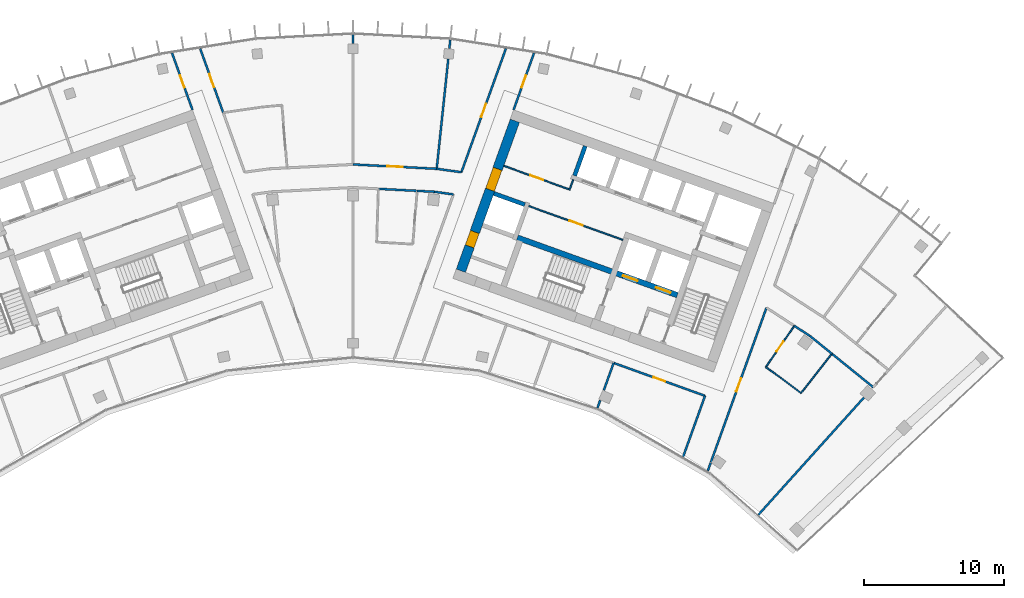
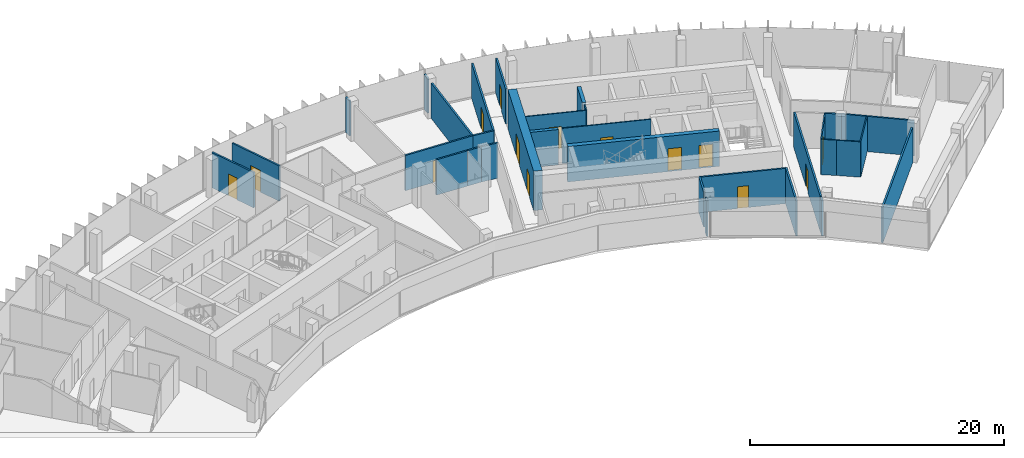
# One storey, part 16 of 19: 33 walls, 14 doors, 14 openings.
"""IFC4 building model written with IfcOpenShell, lengths in metres."""

from ifc_helpers import new_model, si_unit, direction, frame, frame_2d, origin, place, context, subcontext, project, spatial, rectangle, extrude, material, layer, layer_set, type_object, element, fill, save


model = new_model("IFC4")

# Units and contexts
model_context = context("Model", 3, precision=1e-05, world=origin(), true_north=direction((0.0, 1.0)))
body_context = subcontext(model_context, "Body", "Model", "MODEL_VIEW")
ifc_project = project(units=[si_unit("LENGTHUNIT", "METRE"), si_unit("AREAUNIT", "SQUARE_METRE"), si_unit("VOLUMEUNIT", "CUBIC_METRE"), si_unit("PLANEANGLEUNIT", "RADIAN"), si_unit("MASSUNIT", "GRAM", prefix="KILO")], contexts=[model_context])

# Site, building, storey
site_placement = place(None, origin())
site = spatial("IfcSite", under=ifc_project, at=site_placement, CompositionType="ELEMENT")
building_placement = place(site_placement, origin())
building = spatial("IfcBuilding", under=site, at=building_placement, Name="Stone Belt Terrace Tower", CompositionType="ELEMENT")
storey_placement = place(building_placement, frame((0.0, 0.0, 303.60009765625)))
storey = spatial("IfcBuildingStorey", under=building, at=storey_placement, Name="L74", CompositionType="ELEMENT", Elevation=303.60009765625)

# Wall, opening, door
ifc_material_1 = material(Name="Plasterboard partition")
ifc_layer_1 = layer(ifc_material_1, 0.10009765625)
ifc_layer_set_1 = layer_set([ifc_layer_1], Name="Core partition 100")
wall_type_1 = type_object("IfcWallType", Name="Core partition 100", PredefinedType="PARTITIONING", material=ifc_layer_set_1)
wall_1_placement = place(storey_placement, frame((19.29052734375, 51.829833984375, 0.0), z_axis=(0.0, 0.0, 1.0), x_axis=(-0.94092179465, 0.338623945331, 0.0)))
wall_1 = element("IfcWall", 1, at=wall_1_placement, inside=storey, type_object=wall_type_1, Name="Core B wall", PredefinedType="PARTITIONING", context=body_context, shape_type="SweptSolid", body=[
    extrude(rectangle(XDim=7.14990234375, YDim=0.10009765625, at=frame_2d((3.574951171875, 0.0))), origin(), (0.0, 0.0, 1.0), 3.39990234375),
])
opening_1_placement = place(wall_1_placement, frame((3.050048828125, 0.0, 0.0)))
opening_1 = element("IfcOpeningElement", 2, at=opening_1_placement, cuts=wall_1, Name="Opening L74-C13", PredefinedType="OPENING", context=body_context, shape_type="SweptSolid", body=[
    extrude(rectangle(XDim=1.0, YDim=2.10009765625, at=frame_2d((0.5, 1.050048828125))), frame((0.0, 0.06005859375, 0.0), z_axis=(0.0, -1.0, 0.0), x_axis=(1.0, 0.0, 0.0)), (0.0, 0.0, 1.0), 0.1201171875),
])
ifc_material_2 = material(Name="Timber door leaf", Category="wood")
door_type_1 = type_object("IfcDoorType", Name="Core room door 1000", OperationType="SINGLE_SWING_LEFT", PredefinedType="DOOR", material=ifc_material_2)
door_1_placement = place(opening_1_placement, origin())
door_1 = element("IfcDoor", 3, at=door_1_placement, inside=storey, type_object=door_type_1, Name="Door to Electrical room core B", OperationType="SINGLE_SWING_LEFT", OverallHeight=2.10009765625, OverallWidth=1.0, PredefinedType="DOOR", context=body_context, shape_type="SweptSolid", body=[
    extrude(rectangle(XDim=1.0, YDim=2.10009765625, at=frame_2d((0.5, 1.050048828125))), frame((0.0, 0.02490234375, 0.0), z_axis=(0.0, -1.0, 0.0), x_axis=(1.0, 0.0, 0.0)), (0.0, 0.0, 1.0), 0.050048828125),
])
fill(opening_1, door_1)

# Wall
wall_2_placement = place(storey_placement, frame((15.46826171875, 55.384033203125, 0.0), z_axis=(0.0, 0.0, 1.0), x_axis=(0.338481684961, 0.940972979923, 0.0)))
element("IfcWall", 4, at=wall_2_placement, inside=storey, type_object=wall_type_1, Name="Core B wall", PredefinedType="PARTITIONING", context=body_context, shape_type="SweptSolid", body=[
    extrude(rectangle(XDim=0.7998046875, YDim=0.10009765625, at=frame_2d((0.39990234375, 0.0))), origin(), (0.0, 0.0, 1.0), 3.39990234375),
])

# Wall, opening, door
wall_3_placement = place(storey_placement, frame((15.43798828125, 55.447998046875, 0.0), z_axis=(0.0, 0.0, 1.0), x_axis=(-0.940914445113, 0.338644366522, 0.0)))
wall_3 = element("IfcWall", 5, at=wall_3_placement, inside=storey, type_object=wall_type_1, Name="Core B wall", PredefinedType="PARTITIONING", context=body_context, shape_type="SweptSolid", body=[
    extrude(rectangle(XDim=4.949951171875, YDim=0.10009765625, at=frame_2d((2.47509765625, 0.0))), origin(), (0.0, 0.0, 1.0), 3.39990234375),
])
opening_2_placement = place(wall_3_placement, frame((1.949951171875, 0.0, 0.0)))
opening_2 = element("IfcOpeningElement", 6, at=opening_2_placement, cuts=wall_3, Name="Opening L74-C12", PredefinedType="OPENING", context=body_context, shape_type="SweptSolid", body=[
    extrude(rectangle(XDim=1.0, YDim=2.10009765625, at=frame_2d((0.5, 1.050048828125))), frame((0.0, 0.06005859375, 0.0), z_axis=(0.0, -1.0, 0.0), x_axis=(1.0, 0.0, 0.0)), (0.0, 0.0, 1.0), 0.1201171875),
])
door_2_placement = place(opening_2_placement, origin())
door_2 = element("IfcDoor", 7, at=door_2_placement, inside=storey, type_object=door_type_1, Name="Door to Plant room core B", OperationType="SINGLE_SWING_LEFT", OverallHeight=2.10009765625, OverallWidth=1.0, PredefinedType="DOOR", context=body_context, shape_type="SweptSolid", body=[
    extrude(rectangle(XDim=1.0, YDim=2.10009765625, at=frame_2d((0.5, 1.050048828125))), frame((0.0, 0.02490234375, 0.0), z_axis=(0.0, -1.0, 0.0), x_axis=(1.0, 0.0, 0.0)), (0.0, 0.0, 1.0), 0.050048828125),
])
fill(opening_2, door_2)

# Wall, openings, doors
ifc_material_3 = material(Name="Concrete B60", Category="concrete")
ifc_layer_2 = layer(ifc_material_3, 0.699951171875)
ifc_layer_set_2 = layer_set([ifc_layer_2], Name="Core wall 700 B60")
wall_type_2 = type_object("IfcWallType", Name="Core wall 700 B60", PredefinedType="SHEAR", material=ifc_layer_set_2)
wall_4_placement = place(storey_placement, frame((7.70849609375, 49.621337890625, 0.0), z_axis=(0.0, 0.0, 1.0), x_axis=(0.338606471282, 0.940928083121, 0.0)))
wall_4 = element("IfcWall", 8, at=wall_4_placement, inside=storey, type_object=wall_type_2, Name="Core B wall end_a L74", PredefinedType="SHEAR", context=body_context, shape_type="SweptSolid", body=[
    extrude(rectangle(XDim=11.39990234375, YDim=0.699951171875, at=frame_2d((5.699951171875, 0.0))), origin(), (0.0, 0.0, 1.0), 3.7998046875),
])
opening_3_placement = place(wall_4_placement, frame((6.14990234375, 0.0, 0.0)))
opening_3 = element("IfcOpeningElement", 9, at=opening_3_placement, cuts=wall_4, Name="Opening L74-C15", PredefinedType="OPENING", context=body_context, shape_type="SweptSolid", body=[
    extrude(rectangle(XDim=1.60009765625, YDim=2.10009765625, at=frame_2d((0.800048828125, 1.050048828125))), frame((0.0, 0.35986328125, 0.0), z_axis=(0.0, -1.0, 0.0), x_axis=(1.0, 0.0, 0.0)), (0.0, 0.0, 1.0), 0.719970703125),
])
opening_4_placement = place(wall_4_placement, frame((1.85009765625, 0.0, 0.0)))
opening_4 = element("IfcOpeningElement", 10, at=opening_4_placement, cuts=wall_4, Name="Opening L74-C21", PredefinedType="OPENING", context=body_context, shape_type="SweptSolid", body=[
    extrude(rectangle(XDim=1.10009765625, YDim=2.10009765625, at=frame_2d((0.550048828125, 1.050048828125))), frame((0.0, 0.35986328125, 0.0), z_axis=(0.0, -1.0, 0.0), x_axis=(1.0, 0.0, 0.0)), (0.0, 0.0, 1.0), 0.719970703125),
])
door_type_2 = type_object("IfcDoorType", Name="Core room door 1100", OperationType="SINGLE_SWING_LEFT", PredefinedType="DOOR", material=ifc_material_2)
door_3_placement = place(opening_4_placement, origin())
door_3 = element("IfcDoor", 11, at=door_3_placement, inside=storey, type_object=door_type_2, Name="Door to Accessible WC core B", OperationType="SINGLE_SWING_RIGHT", OverallHeight=2.10009765625, OverallWidth=1.10009765625, PredefinedType="DOOR", context=body_context, shape_type="SweptSolid", body=[
    extrude(rectangle(XDim=1.10009765625, YDim=2.10009765625, at=frame_2d((0.550048828125, 1.050048828125))), frame((0.0, 0.330078125, 0.0), z_axis=(0.0, -1.0, 0.0), x_axis=(1.0, 0.0, 0.0)), (0.0, 0.0, 1.0), 0.659912109375),
])
fill(opening_4, door_3)
ifc_material_4 = material(Name="Glazed aluminium door leaf", Category="aluminium")
door_type_3 = type_object("IfcDoorType", Name="Lift lobby entrance door 1600", OperationType="DOUBLE_DOOR_SINGLE_SWING", PredefinedType="DOOR", material=ifc_material_4)
door_4_placement = place(opening_3_placement, origin())
door_4 = element("IfcDoor", 12, at=door_4_placement, inside=storey, type_object=door_type_3, Name="Lift lobby entrance door core B", OperationType="DOUBLE_DOOR_SINGLE_SWING", OverallHeight=2.10009765625, OverallWidth=1.60009765625, PredefinedType="DOOR", context=body_context, shape_type="SweptSolid", body=[
    extrude(rectangle(XDim=1.60009765625, YDim=2.10009765625, at=frame_2d((0.800048828125, 1.050048828125))), frame((0.0, 0.330078125, 0.0), z_axis=(0.0, -1.0, 0.0), x_axis=(1.0, 0.0, 0.0)), (0.0, 0.0, 1.0), 0.659912109375),
])
fill(opening_3, door_4)

# Walls
ifc_material_5 = material(Name="Concrete B80", Category="concrete")
ifc_layer_3 = layer(ifc_material_5, 0.300048828125)
ifc_layer_set_3 = layer_set([ifc_layer_3], Name="Lift shaft wall 300")
wall_type_3 = type_object("IfcWallType", Name="Lift shaft wall 300", PredefinedType="SHEAR", material=ifc_layer_set_3)
wall_5_placement = place(storey_placement, frame((15.8408203125, 56.419189453125, 0.0), z_axis=(0.0, 0.0, 1.0), x_axis=(0.338569601369, 0.940941350472, 0.0)))
element("IfcWall", 13, at=wall_5_placement, inside=storey, type_object=wall_type_3, Name="Core B wall", PredefinedType="SHEAR", context=body_context, shape_type="SweptSolid", body=[
    extrude(rectangle(XDim=2.249755859375, YDim=0.300048828125, at=frame_2d((1.125, 0.0))), origin(), (0.0, 0.0, 1.0), 3.39990234375),
])
wall_6_placement = place(storey_placement, frame((12.280517578125, 54.3525390625, 0.0), z_axis=(0.0, 0.0, 1.0), x_axis=(-0.940925816745, 0.338612769078, 0.0)))
element("IfcWall", 14, at=wall_6_placement, inside=storey, type_object=wall_type_3, Name="Core B wall", PredefinedType="SHEAR", context=body_context, shape_type="SweptSolid", body=[
    extrude(rectangle(XDim=2.349853515625, YDim=0.300048828125, at=frame_2d((1.1748046875, 0.0))), origin(), (0.0, 0.0, 1.0), 3.39990234375),
])

# Wall, opening, door
ifc_material_6 = material(Name="Gypsum board partition")
ifc_layer_4 = layer(ifc_material_6, 0.10009765625)
ifc_layer_set_4 = layer_set([ifc_layer_4], Name="PARTITION 100")
wall_type_4 = type_object("IfcWallType", Name="PARTITION 100", PredefinedType="PARTITIONING", material=ifc_layer_set_4)
wall_7_placement = place(storey_placement, frame((31.5439453125, 45.68896484375, 0.0), z_axis=(0.0, 0.0, 1.0), x_axis=(-0.568120559213, -0.822945338525, 0.0)))
wall_7 = element("IfcWall", 15, at=wall_7_placement, inside=storey, type_object=wall_type_4, Name="L74/wall/i077", PredefinedType="PARTITIONING", context=body_context, shape_type="SweptSolid", body=[
    extrude(rectangle(XDim=3.5908203125, YDim=0.10009765625, at=frame_2d((1.79541015625, 0.0))), origin(), (0.0, 0.0, 1.0), 3.39990234375),
])
opening_5_placement = place(wall_7_placement, frame((1.345458984375, 0.0, 0.0)))
opening_5 = element("IfcOpeningElement", 16, at=opening_5_placement, cuts=wall_7, Name="Opening D-E5-23", PredefinedType="OPENING", context=body_context, shape_type="SweptSolid", body=[
    extrude(rectangle(XDim=0.89990234375, YDim=2.10009765625, at=frame_2d((0.449951171875, 1.050048828125))), frame((0.0, 0.06005859375, 0.0), z_axis=(0.0, -1.0, 0.0), x_axis=(1.0, 0.0, 0.0)), (0.0, 0.0, 1.0), 0.1201171875),
])
door_type_4 = type_object("IfcDoorType", Name="OFFICE DOOR 900 X 2100", OperationType="NOTDEFINED", PredefinedType="DOOR", material=ifc_material_2)
door_5_placement = place(opening_5_placement, origin())
door_5 = element("IfcDoor", 17, at=door_5_placement, inside=storey, type_object=door_type_4, Name="L74/door/i23", OperationType="SINGLE_SWING_RIGHT", OverallHeight=2.10009765625, OverallWidth=0.89990234375, PredefinedType="DOOR", context=body_context, shape_type="SweptSolid", body=[
    extrude(rectangle(XDim=0.89990234375, YDim=2.10009765625, at=frame_2d((0.449951171875, 1.050048828125))), frame((0.0, 0.02490234375, 0.0), z_axis=(0.0, -1.0, 0.0), x_axis=(1.0, 0.0, 0.0)), (0.0, 0.0, 1.0), 0.050048828125),
])
fill(opening_5, door_5)

# Walls
wall_8_placement = place(storey_placement, frame((29.50390625, 42.73388671875, 0.0), z_axis=(0.0, 0.0, 1.0), x_axis=(0.815986058791, -0.578071580221, 0.0)))
element("IfcWall", 18, at=wall_8_placement, inside=storey, type_object=wall_type_4, Name="L74/wall/i078", PredefinedType="PARTITIONING", context=body_context, shape_type="SweptSolid", body=[
    extrude(rectangle(XDim=1.248779296875, YDim=0.10009765625, at=frame_2d((0.62451171875, 0.0))), origin(), (0.0, 0.0, 1.0), 3.39990234375),
])
wall_9_placement = place(storey_placement, frame((30.52294921875, 42.011962890625, 0.0), z_axis=(0.0, 0.0, 1.0), x_axis=(0.798373260242, -0.602162882725, 0.0)))
element("IfcWall", 19, at=wall_9_placement, inside=storey, type_object=wall_type_4, Name="L74/wall/i079", PredefinedType="PARTITIONING", context=body_context, shape_type="SweptSolid", body=[
    extrude(rectangle(XDim=1.87646484375, YDim=0.10009765625, at=frame_2d((0.938232421875, 0.0))), origin(), (0.0, 0.0, 1.0), 3.39990234375),
])
wall_10_placement = place(storey_placement, frame((32.02099609375, 40.882080078125, 0.0), z_axis=(0.0, 0.0, 1.0), x_axis=(0.616536467142, 0.787326352083, 0.0)))
element("IfcWall", 20, at=wall_10_placement, inside=storey, type_object=wall_type_4, Name="L74/wall/i080", PredefinedType="PARTITIONING", context=body_context, shape_type="SweptSolid", body=[
    extrude(rectangle(XDim=3.57666015625, YDim=0.10009765625, at=frame_2d((1.788330078125, 0.0))), origin(), (0.0, 0.0, 1.0), 3.39990234375),
])

# Wall, opening, door
ifc_layer_5 = layer(ifc_material_6, 0.14990234375)
ifc_layer_set_5 = layer_set([ifc_layer_5], Name="PARTITION 150 EI 60")
wall_type_5 = type_object("IfcWallType", Name="PARTITION 150 EI 60", PredefinedType="PARTITIONING", material=ifc_layer_set_5)
wall_11_placement = place(storey_placement, frame((-11.47607421875, 61.125, 0.0), z_axis=(0.0, 0.0, 1.0), x_axis=(-0.338707450319, 0.940891738245, 0.0)))
wall_11 = element("IfcWall", 21, at=wall_11_placement, inside=storey, type_object=wall_type_5, Name="L74/wall/i010", PredefinedType="PARTITIONING", context=body_context, shape_type="SweptSolid", body=[
    extrude(rectangle(XDim=4.316162109375, YDim=0.14990234375, at=frame_2d((2.158203125, 0.0))), origin(), (0.0, 0.0, 1.0), 3.39990234375),
])
opening_6_placement = place(wall_11_placement, frame((1.7080078125, 0.0, 0.0)))
opening_6 = element("IfcOpeningElement", 22, at=opening_6_placement, cuts=wall_11, Name="Opening D-E5-06", PredefinedType="OPENING", context=body_context, shape_type="SweptSolid", body=[
    extrude(rectangle(XDim=0.89990234375, YDim=2.10009765625, at=frame_2d((0.449951171875, 1.050048828125))), frame((0.0, 0.0849609375, 0.0), z_axis=(0.0, -1.0, 0.0), x_axis=(1.0, 0.0, 0.0)), (0.0, 0.0, 1.0), 0.169921875),
])
door_6_placement = place(opening_6_placement, origin())
door_6 = element("IfcDoor", 23, at=door_6_placement, inside=storey, type_object=door_type_4, Name="L74/door/i06", OperationType="SINGLE_SWING_RIGHT", OverallHeight=2.10009765625, OverallWidth=0.89990234375, PredefinedType="DOOR", context=body_context, shape_type="SweptSolid", body=[
    extrude(rectangle(XDim=0.89990234375, YDim=2.10009765625, at=frame_2d((0.449951171875, 1.050048828125))), frame((0.0, 0.02490234375, 0.0), z_axis=(0.0, -1.0, 0.0), x_axis=(1.0, 0.0, 0.0)), (0.0, 0.0, 1.0), 0.050048828125),
])
fill(opening_6, door_6)

wall_12_placement = place(storey_placement, frame((-10.9267578125, 65.504150390625, 0.0), z_axis=(0.0, 0.0, 1.0), x_axis=(0.338598802043, -0.940930842972, 0.0)))
wall_12 = element("IfcWall", 24, at=wall_12_placement, inside=storey, type_object=wall_type_5, Name="L74/wall/i013", PredefinedType="PARTITIONING", context=body_context, shape_type="SweptSolid", body=[
    extrude(rectangle(XDim=4.8720703125, YDim=0.14990234375, at=frame_2d((2.43603515625, 0.0))), origin(), (0.0, 0.0, 1.0), 3.39990234375),
])
opening_7_placement = place(wall_12_placement, frame((1.93603515625, 0.0, 0.0)))
opening_7 = element("IfcOpeningElement", 25, at=opening_7_placement, cuts=wall_12, Name="Opening D-E5-31", PredefinedType="OPENING", context=body_context, shape_type="SweptSolid", body=[
    extrude(rectangle(XDim=1.0, YDim=2.10009765625, at=frame_2d((0.5, 1.050048828125))), frame((0.0, 0.0849609375, 0.0), z_axis=(0.0, -1.0, 0.0), x_axis=(1.0, 0.0, 0.0)), (0.0, 0.0, 1.0), 0.169921875),
])
ifc_material_7 = material(Name="Timber fire door leaf", Category="wood")
door_type_5 = type_object("IfcDoorType", Name="TENANCY ENTRANCE DOOR 1000 X 2100", OperationType="NOTDEFINED", PredefinedType="DOOR", material=ifc_material_7)
door_7_placement = place(opening_7_placement, origin())
door_7 = element("IfcDoor", 26, at=door_7_placement, inside=storey, type_object=door_type_5, Name="L74/door/i31", OperationType="SINGLE_SWING_RIGHT", OverallHeight=2.10009765625, OverallWidth=1.0, PredefinedType="DOOR", context=body_context, shape_type="SweptSolid", body=[
    extrude(rectangle(XDim=1.0, YDim=2.10009765625, at=frame_2d((0.5, 1.050048828125))), frame((0.0, 0.02490234375, 0.0), z_axis=(0.0, -1.0, 0.0), x_axis=(1.0, 0.0, 0.0)), (0.0, 0.0, 1.0), 0.050048828125),
])
fill(opening_7, door_7)

wall_13_placement = place(storey_placement, frame((12.93798828125, 65.18603515625, 0.0), z_axis=(0.0, 0.0, 1.0), x_axis=(-0.338707450319, -0.940891738245, 0.0)))
wall_13 = element("IfcWall", 27, at=wall_13_placement, inside=storey, type_object=wall_type_5, Name="L74/wall/i024", PredefinedType="PARTITIONING", context=body_context, shape_type="SweptSolid", body=[
    extrude(rectangle(XDim=4.316162109375, YDim=0.14990234375, at=frame_2d((2.158203125, 0.0))), origin(), (0.0, 0.0, 1.0), 3.39990234375),
])
opening_8_placement = place(wall_13_placement, frame((1.7080078125, 0.0, 0.0)))
opening_8 = element("IfcOpeningElement", 28, at=opening_8_placement, cuts=wall_13, Name="Opening D-E5-11", PredefinedType="OPENING", context=body_context, shape_type="SweptSolid", body=[
    extrude(rectangle(XDim=0.89990234375, YDim=2.10009765625, at=frame_2d((0.449951171875, 1.050048828125))), frame((0.0, 0.0849609375, 0.0), z_axis=(0.0, -1.0, 0.0), x_axis=(1.0, 0.0, 0.0)), (0.0, 0.0, 1.0), 0.169921875),
])
door_8_placement = place(opening_8_placement, origin())
door_8 = element("IfcDoor", 29, at=door_8_placement, inside=storey, type_object=door_type_4, Name="L74/door/i11", OperationType="SINGLE_SWING_RIGHT", OverallHeight=2.10009765625, OverallWidth=0.89990234375, PredefinedType="DOOR", context=body_context, shape_type="SweptSolid", body=[
    extrude(rectangle(XDim=0.89990234375, YDim=2.10009765625, at=frame_2d((0.449951171875, 1.050048828125))), frame((0.0, 0.02490234375, 0.0), z_axis=(0.0, -1.0, 0.0), x_axis=(1.0, 0.0, 0.0)), (0.0, 0.0, 1.0), 0.050048828125),
])
fill(opening_8, door_8)

wall_14_placement = place(storey_placement, frame((7.7451171875, 56.6640625, 0.0), z_axis=(0.0, 0.0, 1.0), x_axis=(0.338644933311, 0.94091424112, 0.0)))
wall_14 = element("IfcWall", 30, at=wall_14_placement, inside=storey, type_object=wall_type_5, Name="L74/wall/i026", PredefinedType="PARTITIONING", context=body_context, shape_type="SweptSolid", body=[
    extrude(rectangle(XDim=9.395263671875, YDim=0.14990234375, at=frame_2d((4.69775390625, 0.0))), origin(), (0.0, 0.0, 1.0), 3.39990234375),
])
opening_9_placement = place(wall_14_placement, frame((4.19775390625, 0.0, 0.0)))
opening_9 = element("IfcOpeningElement", 31, at=opening_9_placement, cuts=wall_14, Name="Opening D-E5-34", PredefinedType="OPENING", context=body_context, shape_type="SweptSolid", body=[
    extrude(rectangle(XDim=1.0, YDim=2.10009765625, at=frame_2d((0.5, 1.050048828125))), frame((0.0, 0.0849609375, 0.0), z_axis=(0.0, -1.0, 0.0), x_axis=(1.0, 0.0, 0.0)), (0.0, 0.0, 1.0), 0.169921875),
])
door_9_placement = place(opening_9_placement, origin())
door_9 = element("IfcDoor", 32, at=door_9_placement, inside=storey, type_object=door_type_5, Name="L74/door/i34", OperationType="SINGLE_SWING_RIGHT", OverallHeight=2.10009765625, OverallWidth=1.0, PredefinedType="DOOR", context=body_context, shape_type="SweptSolid", body=[
    extrude(rectangle(XDim=1.0, YDim=2.10009765625, at=frame_2d((0.5, 1.050048828125))), frame((0.0, 0.02490234375, 0.0), z_axis=(0.0, -1.0, 0.0), x_axis=(1.0, 0.0, 0.0)), (0.0, 0.0, 1.0), 0.050048828125),
])
fill(opening_9, door_9)

# Wall
wall_15_placement = place(storey_placement, frame((23.5966796875, 36.330810546875, 0.0), z_axis=(0.0, 0.0, 1.0), x_axis=(0.338609342271, 0.94092704995, 0.0)))
element("IfcWall", 33, at=wall_15_placement, inside=storey, type_object=wall_type_5, Name="L74/wall/i027", PredefinedType="PARTITIONING", context=body_context, shape_type="SweptSolid", body=[
    extrude(rectangle(XDim=4.6318359375, YDim=0.14990234375, at=frame_2d((2.31591796875, 0.0))), origin(), (0.0, 0.0, 1.0), 3.39990234375),
])

# Wall, opening, door
wall_16_placement = place(storey_placement, frame((29.556884765625, 46.987060546875, 0.0), z_axis=(0.0, 0.0, 1.0), x_axis=(-0.338660555828, -0.940908618265, 0.0)))
wall_16 = element("IfcWall", 34, at=wall_16_placement, inside=storey, type_object=wall_type_5, Name="L74/wall/i029", PredefinedType="PARTITIONING", context=body_context, shape_type="SweptSolid", body=[
    extrude(rectangle(XDim=11.73974609375, YDim=0.14990234375, at=frame_2d((5.869873046875, 0.0))), origin(), (0.0, 0.0, 1.0), 3.39990234375),
])
opening_10_placement = place(wall_16_placement, frame((5.369873046875, 0.0, 0.0)))
opening_10 = element("IfcOpeningElement", 35, at=opening_10_placement, cuts=wall_16, Name="Opening D-E5-22", PredefinedType="OPENING", context=body_context, shape_type="SweptSolid", body=[
    extrude(rectangle(XDim=1.0, YDim=2.10009765625, at=frame_2d((0.5, 1.050048828125))), frame((0.0, 0.0849609375, 0.0), z_axis=(0.0, -1.0, 0.0), x_axis=(1.0, 0.0, 0.0)), (0.0, 0.0, 1.0), 0.169921875),
])
door_10_placement = place(opening_10_placement, origin())
door_10 = element("IfcDoor", 36, at=door_10_placement, inside=storey, type_object=door_type_5, Name="L74/door/i22", OperationType="SINGLE_SWING_LEFT", OverallHeight=2.10009765625, OverallWidth=1.0, PredefinedType="DOOR", context=body_context, shape_type="SweptSolid", body=[
    extrude(rectangle(XDim=1.0, YDim=2.10009765625, at=frame_2d((0.5, 1.050048828125))), frame((0.0, 0.02490234375, 0.0), z_axis=(0.0, -1.0, 0.0), x_axis=(1.0, 0.0, 0.0)), (0.0, 0.0, 1.0), 0.050048828125),
])
fill(opening_10, door_10)

# Wall
wall_17_placement = place(storey_placement, frame((25.566162109375, 35.899658203125, 0.0), z_axis=(0.0, 0.0, 1.0), x_axis=(-0.338633814852, -0.940918242696, 0.0)))
element("IfcWall", 37, at=wall_17_placement, inside=storey, type_object=wall_type_5, Name="L74/wall/i030", PredefinedType="PARTITIONING", context=body_context, shape_type="SweptSolid", body=[
    extrude(rectangle(XDim=0.605712890625, YDim=0.14990234375, at=frame_2d((0.302734375, 0.0))), origin(), (0.0, 0.0, 1.0), 3.39990234375),
])

# Wall, opening, door
wall_18_placement = place(storey_placement, frame((25.1630859375, 40.68310546875, 0.0), z_axis=(0.0, 0.0, 1.0), x_axis=(-0.940890098745, 0.338712004633, 0.0)))
wall_18 = element("IfcWall", 38, at=wall_18_placement, inside=storey, type_object=wall_type_5, Name="L74/wall/i036", PredefinedType="PARTITIONING", context=body_context, shape_type="SweptSolid", body=[
    extrude(rectangle(XDim=6.949951171875, YDim=0.14990234375, at=frame_2d((3.47509765625, 0.0))), origin(), (0.0, 0.0, 1.0), 3.39990234375),
])
opening_11_placement = place(wall_18_placement, frame((3.02490234375, 0.0, 0.0)))
opening_11 = element("IfcOpeningElement", 39, at=opening_11_placement, cuts=wall_18, Name="Opening D-E5-10", PredefinedType="OPENING", context=body_context, shape_type="SweptSolid", body=[
    extrude(rectangle(XDim=0.89990234375, YDim=2.10009765625, at=frame_2d((0.449951171875, 1.050048828125))), frame((0.0, 0.0849609375, 0.0), z_axis=(0.0, -1.0, 0.0), x_axis=(1.0, 0.0, 0.0)), (0.0, 0.0, 1.0), 0.169921875),
])
door_11_placement = place(opening_11_placement, origin())
door_11 = element("IfcDoor", 40, at=door_11_placement, inside=storey, type_object=door_type_4, Name="L74/door/i10", OperationType="SINGLE_SWING_RIGHT", OverallHeight=2.10009765625, OverallWidth=0.89990234375, PredefinedType="DOOR", context=body_context, shape_type="SweptSolid", body=[
    extrude(rectangle(XDim=0.89990234375, YDim=2.10009765625, at=frame_2d((0.449951171875, 1.050048828125))), frame((0.0, 0.02490234375, 0.0), z_axis=(0.0, -1.0, 0.0), x_axis=(1.0, 0.0, 0.0)), (0.0, 0.0, 1.0), 0.050048828125),
])
fill(opening_11, door_11)

# Walls
wall_19_placement = place(storey_placement, frame((18.62890625, 43.033935546875, 0.0), z_axis=(0.0, 0.0, 1.0), x_axis=(-0.338523288792, -0.940958013381, 0.0)))
element("IfcWall", 41, at=wall_19_placement, inside=storey, type_object=wall_type_5, Name="L74/wall/i039", PredefinedType="PARTITIONING", context=body_context, shape_type="SweptSolid", body=[
    extrude(rectangle(XDim=2.0712890625, YDim=0.14990234375, at=frame_2d((1.03564453125, 0.0))), origin(), (0.0, 0.0, 1.0), 3.39990234375),
])
wall_20_placement = place(storey_placement, frame((17.669921875, 40.367919921875, 0.0), z_axis=(0.0, 0.0, 1.0), x_axis=(-0.338689559732, -0.940898178407, 0.0)))
element("IfcWall", 42, at=wall_20_placement, inside=storey, type_object=wall_type_5, Name="L74/wall/i040", PredefinedType="PARTITIONING", context=body_context, shape_type="SweptSolid", body=[
    extrude(rectangle(XDim=0.578125, YDim=0.14990234375, at=frame_2d((0.2890625, 0.0))), origin(), (0.0, 0.0, 1.0), 3.39990234375),
])
wall_21_placement = place(storey_placement, frame((28.97802734375, 32.182373046875, 0.0), z_axis=(0.0, 0.0, 1.0), x_axis=(0.669127577115, 0.74314755301, 0.0)))
element("IfcWall", 43, at=wall_21_placement, inside=storey, type_object=wall_type_5, Name="L74/wall/i068", PredefinedType="PARTITIONING", context=body_context, shape_type="SweptSolid", body=[
    extrude(rectangle(XDim=11.263671875, YDim=0.14990234375, at=frame_2d((5.6318359375, 0.0))), origin(), (0.0, 0.0, 1.0), 3.39990234375),
])
wall_22_placement = place(storey_placement, frame((37.18701171875, 41.300048828125, 0.0), z_axis=(0.0, 0.0, 1.0), x_axis=(-0.77714803313, 0.629317832738, 0.0)))
element("IfcWall", 44, at=wall_22_placement, inside=storey, type_object=wall_type_5, Name="L74/wall/i071", PredefinedType="PARTITIONING", context=body_context, shape_type="SweptSolid", body=[
    extrude(rectangle(XDim=3.816650390625, YDim=0.14990234375, at=frame_2d((1.908203125, 0.0))), origin(), (0.0, 0.0, 1.0), 3.39990234375),
])
wall_23_placement = place(storey_placement, frame((34.23095703125, 43.694091796875, 0.0), z_axis=(0.0, 0.0, 1.0), x_axis=(-0.777247694458, 0.62919474049, 0.0)))
element("IfcWall", 45, at=wall_23_placement, inside=storey, type_object=wall_type_5, Name="L74/wall/i072", PredefinedType="PARTITIONING", context=body_context, shape_type="SweptSolid", body=[
    extrude(rectangle(XDim=2.013427734375, YDim=0.14990234375, at=frame_2d((1.0068359375, 0.0))), origin(), (0.0, 0.0, 1.0), 3.39990234375),
])
wall_24_placement = place(storey_placement, frame((32.666015625, 44.9609375, 0.0), z_axis=(0.0, 0.0, 1.0), x_axis=(-0.838974743081, 0.544170359789, 0.0)))
element("IfcWall", 46, at=wall_24_placement, inside=storey, type_object=wall_type_5, Name="L74/wall/i073", PredefinedType="PARTITIONING", context=body_context, shape_type="SweptSolid", body=[
    extrude(rectangle(XDim=1.34326171875, YDim=0.14990234375, at=frame_2d((0.671630859375, 0.0))), origin(), (0.0, 0.0, 1.0), 3.39990234375),
])
wall_25_placement = place(storey_placement, frame((7.176025390625, 55.0830078125, 0.0), z_axis=(0.0, 0.0, 1.0), x_axis=(-0.990675556397, 0.136242217972, 0.0)))
element("IfcWall", 47, at=wall_25_placement, inside=storey, type_object=wall_type_5, Name="L74/wall/i088", PredefinedType="PARTITIONING", context=body_context, shape_type="SweptSolid", body=[
    extrude(rectangle(XDim=1.3798828125, YDim=0.14990234375, at=frame_2d((0.68994140625, 0.0))), origin(), (0.0, 0.0, 1.0), 3.39990234375),
])
wall_26_placement = place(storey_placement, frame((5.80908203125, 55.27099609375, 0.0), z_axis=(0.0, 0.0, 1.0), x_axis=(-0.998648347827, 0.051975738405, 0.0)))
element("IfcWall", 48, at=wall_26_placement, inside=storey, type_object=wall_type_5, Name="L74/wall/i089", PredefinedType="PARTITIONING", context=body_context, shape_type="SweptSolid", body=[
    extrude(rectangle(XDim=1.230712890625, YDim=0.14990234375, at=frame_2d((0.615234375, 0.0))), origin(), (0.0, 0.0, 1.0), 3.39990234375),
])
wall_27_placement = place(storey_placement, frame((4.592041015625, 55.3349609375, 0.0), z_axis=(0.0, 0.0, 1.0), x_axis=(-0.998630847524, 0.052310901088, 0.0)))
element("IfcWall", 49, at=wall_27_placement, inside=storey, type_object=wall_type_5, Name="L74/wall/i090", PredefinedType="PARTITIONING", context=body_context, shape_type="SweptSolid", body=[
    extrude(rectangle(XDim=2.791015625, YDim=0.14990234375, at=frame_2d((1.3955078125, 0.0))), origin(), (0.0, 0.0, 1.0), 3.39990234375),
])

# Wall, opening, door
wall_28_placement = place(storey_placement, frame((0.0, 57.22509765625, 0.0), z_axis=(0.0, 0.0, 1.0), x_axis=(0.998633994648, -0.052250786921, 0.0)))
wall_28 = element("IfcWall", 50, at=wall_28_placement, inside=storey, type_object=wall_type_5, Name="L74/wall/i094", PredefinedType="PARTITIONING", context=body_context, shape_type="SweptSolid", body=[
    extrude(rectangle(XDim=5.990234375, YDim=0.14990234375, at=frame_2d((2.9951171875, 0.0))), origin(), (0.0, 0.0, 1.0), 3.39990234375),
])
opening_12_placement = place(wall_28_placement, frame((2.445068359375, 0.0, 0.0)))
opening_12 = element("IfcOpeningElement", 51, at=opening_12_placement, cuts=wall_28, Name="Opening D-E5-33", PredefinedType="OPENING", context=body_context, shape_type="SweptSolid", body=[
    extrude(rectangle(XDim=1.10009765625, YDim=2.10009765625, at=frame_2d((0.550048828125, 1.050048828125))), frame((0.0, 0.0849609375, 0.0), z_axis=(0.0, -1.0, 0.0), x_axis=(1.0, 0.0, 0.0)), (0.0, 0.0, 1.0), 0.169921875),
])
ifc_material_8 = material(Name="Steel fire door set", Category="steel")
door_type_6 = type_object("IfcDoorType", Name="SERVICE ROOM DOOR 1100 X 2100", OperationType="NOTDEFINED", PredefinedType="DOOR", material=ifc_material_8)
door_12_placement = place(opening_12_placement, origin())
door_12 = element("IfcDoor", 52, at=door_12_placement, inside=storey, type_object=door_type_6, Name="L74/door/i33", OperationType="SINGLE_SWING_LEFT", OverallHeight=2.10009765625, OverallWidth=1.10009765625, PredefinedType="DOOR", context=body_context, shape_type="SweptSolid", body=[
    extrude(rectangle(XDim=1.10009765625, YDim=2.10009765625, at=frame_2d((0.550048828125, 1.050048828125))), frame((0.0, 0.02490234375, 0.0), z_axis=(0.0, -1.0, 0.0), x_axis=(1.0, 0.0, 0.0)), (0.0, 0.0, 1.0), 0.050048828125),
])
fill(opening_12, door_12)

# Walls
wall_29_placement = place(storey_placement, frame((5.98193359375, 56.912109375, 0.0), z_axis=(0.0, 0.0, 1.0), x_axis=(0.990718093798, -0.135932551735, 0.0)))
element("IfcWall", 53, at=wall_29_placement, inside=storey, type_object=wall_type_5, Name="L74/wall/i095", PredefinedType="PARTITIONING", context=body_context, shape_type="SweptSolid", body=[
    extrude(rectangle(XDim=1.78173828125, YDim=0.14990234375, at=frame_2d((0.890869140625, 0.0))), origin(), (0.0, 0.0, 1.0), 3.39990234375),
])
wall_30_placement = place(storey_placement, frame((0.0, 66.5, 0.0), z_axis=(0.0, 0.0, 1.0), x_axis=(0.0, -1.0, 0.0)))
element("IfcWall", 54, at=wall_30_placement, inside=storey, type_object=wall_type_5, Name="L74/wall/i105", PredefinedType="PARTITIONING", context=body_context, shape_type="SweptSolid", body=[
    extrude(rectangle(XDim=0.631103515625, YDim=0.14990234375, at=frame_2d((0.3154296875, 0.0))), origin(), (0.0, 0.0, 1.0), 3.39990234375),
])
wall_31_placement = place(storey_placement, frame((6.951416015625, 66.135498046875, 0.0), z_axis=(0.0, 0.0, 1.0), x_axis=(-0.10448334315, -0.994526636649, 0.0)))
element("IfcWall", 55, at=wall_31_placement, inside=storey, type_object=wall_type_5, Name="L74/wall/i107", PredefinedType="PARTITIONING", context=body_context, shape_type="SweptSolid", body=[
    extrude(rectangle(XDim=0.630859375, YDim=0.14990234375, at=frame_2d((0.3154296875, 0.0))), origin(), (0.0, 0.0, 1.0), 3.39990234375),
])
wall_32_placement = place(storey_placement, frame((6.80615234375, 64.752197265625, 0.0), z_axis=(0.0, 0.0, 1.0), x_axis=(-0.104552591052, -0.99451935914, 0.0)))
element("IfcWall", 56, at=wall_32_placement, inside=storey, type_object=wall_type_5, Name="L74/wall/i108", PredefinedType="PARTITIONING", context=body_context, shape_type="SweptSolid", body=[
    extrude(rectangle(XDim=7.88330078125, YDim=0.14990234375, at=frame_2d((3.941650390625, 0.0))), origin(), (0.0, 0.0, 1.0), 3.39990234375),
])

# Wall, openings, doors
ifc_layer_6 = layer(ifc_material_5, 0.39990234375)
ifc_layer_set_6 = layer_set([ifc_layer_6], Name="Stair enclosure wall 400")
wall_type_6 = type_object("IfcWallType", Name="Stair enclosure wall 400", PredefinedType="SHEAR", material=ifc_layer_set_6)
wall_33_placement = place(storey_placement, frame((23.182373046875, 47.87841796875, 0.0), z_axis=(0.0, 0.0, 1.0), x_axis=(-0.940921731919, 0.338624119641, 0.0)))
wall_33 = element("IfcWall", 57, at=wall_33_placement, inside=storey, type_object=wall_type_6, Name="Core B wall", PredefinedType="SHEAR", context=body_context, shape_type="SweptSolid", body=[
    extrude(rectangle(XDim=12.14990234375, YDim=0.39990234375, at=frame_2d((6.074951171875, 0.0))), origin(), (0.0, 0.0, 1.0), 3.39990234375),
])
opening_13_placement = place(wall_33_placement, frame((0.52001953125, 0.0, 0.0)))
opening_13 = element("IfcOpeningElement", 58, at=opening_13_placement, cuts=wall_33, Name="Opening L74-LD12", PredefinedType="OPENING", context=body_context, shape_type="SweptSolid", body=[
    extrude(rectangle(XDim=1.10009765625, YDim=2.199951171875, at=frame_2d((0.550048828125, 1.10009765625))), frame((0.0, 0.2099609375, 0.0), z_axis=(0.0, -1.0, 0.0), x_axis=(1.0, 0.0, 0.0)), (0.0, 0.0, 1.0), 0.419921875),
])
opening_14_placement = place(wall_33_placement, frame((3.02001953125, 0.0, 0.0)))
opening_14 = element("IfcOpeningElement", 59, at=opening_14_placement, cuts=wall_33, Name="Opening L74-LD13", PredefinedType="OPENING", context=body_context, shape_type="SweptSolid", body=[
    extrude(rectangle(XDim=1.10009765625, YDim=2.199951171875, at=frame_2d((0.550048828125, 1.10009765625))), frame((0.0, 0.2099609375, 0.0), z_axis=(0.0, -1.0, 0.0), x_axis=(1.0, 0.0, 0.0)), (0.0, 0.0, 1.0), 0.419921875),
])
ifc_material_9 = material(Name="Stainless steel door leaf", Category="steel")
door_type_7 = type_object("IfcDoorType", Name="Landing door 1100", OperationType="SLIDING_TO_LEFT", PredefinedType="DOOR", material=ifc_material_9)
door_13_placement = place(opening_13_placement, origin())
door_13 = element("IfcDoor", 60, at=door_13_placement, inside=storey, type_object=door_type_7, Name="Landing door FF1 core B", OperationType="SLIDING_TO_LEFT", OverallHeight=2.199951171875, OverallWidth=1.10009765625, PredefinedType="DOOR", context=body_context, shape_type="SweptSolid", body=[
    extrude(rectangle(XDim=1.10009765625, YDim=2.199951171875, at=frame_2d((0.550048828125, 1.10009765625))), frame((0.0, 0.02490234375, 0.0), z_axis=(0.0, -1.0, 0.0), x_axis=(1.0, 0.0, 0.0)), (0.0, 0.0, 1.0), 0.050048828125),
])
fill(opening_13, door_13)
door_14_placement = place(opening_14_placement, origin())
door_14 = element("IfcDoor", 61, at=door_14_placement, inside=storey, type_object=door_type_7, Name="Landing door FF2 core B", OperationType="SLIDING_TO_LEFT", OverallHeight=2.199951171875, OverallWidth=1.10009765625, PredefinedType="DOOR", context=body_context, shape_type="SweptSolid", body=[
    extrude(rectangle(XDim=1.10009765625, YDim=2.199951171875, at=frame_2d((0.550048828125, 1.10009765625))), frame((0.0, 0.02490234375, 0.0), z_axis=(0.0, -1.0, 0.0), x_axis=(1.0, 0.0, 0.0)), (0.0, 0.0, 1.0), 0.050048828125),
])
fill(opening_14, door_14)

save(model, "model.ifc")
